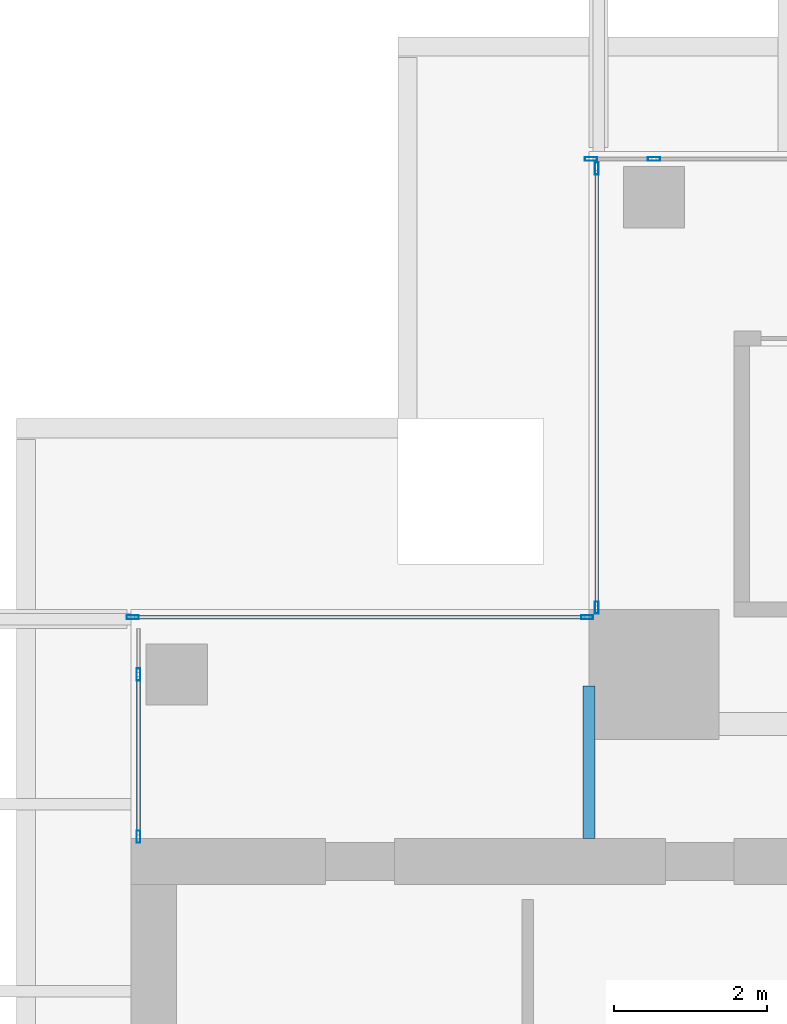
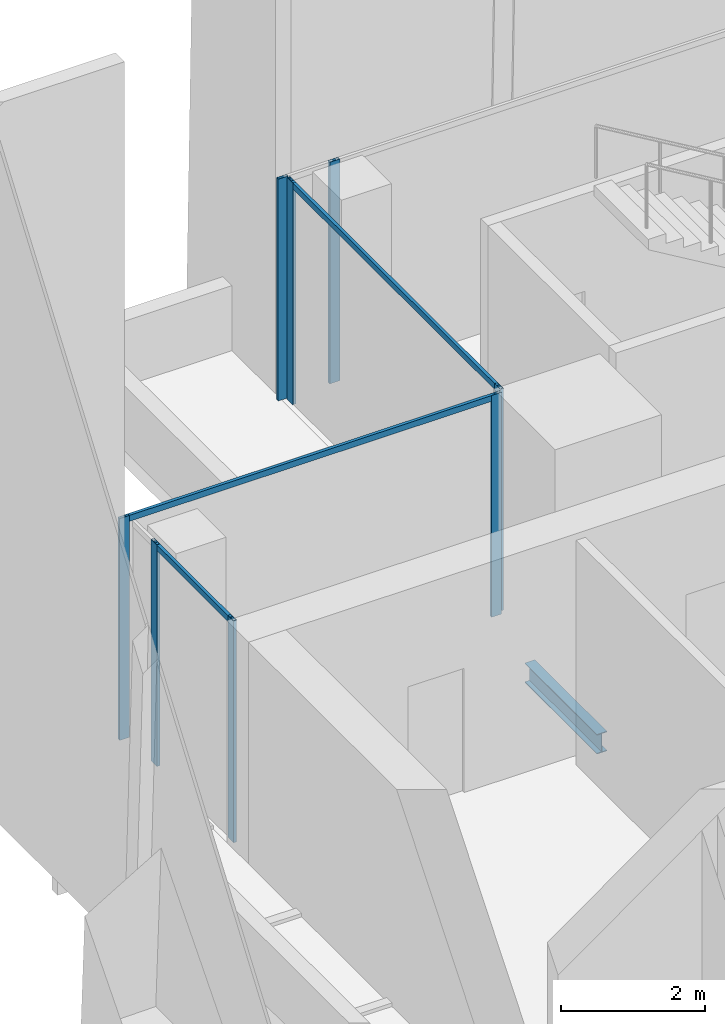
# One storey, part 13 of 32: 11 members, 1 beam, 4 elements without a shape of their own.
"""IFC4 building model written with IfcOpenShell, lengths in metres."""

from ifc_helpers import new_model, si_unit, direction, frame, origin, origin_2d, place, context, subcontext, project, spatial, hollow_rectangle, i_section, extrude, source, transform, mapped, material, material_profile, profile_set, type_object, element, aggregate, save


model = new_model("IFC4")

# Units and contexts
model_context = context("Model", 3, precision=1e-05, world=origin(), true_north=direction((0.0, 1.0)))
body_context = subcontext(model_context, "Body", "Model", "MODEL_VIEW")
ifc_project = project(units=[si_unit("LENGTHUNIT", "METRE"), si_unit("AREAUNIT", "SQUARE_METRE"), si_unit("VOLUMEUNIT", "CUBIC_METRE"), si_unit("PLANEANGLEUNIT", "RADIAN"), si_unit("MASSUNIT", "GRAM", prefix="KILO")], contexts=[model_context])

# Site, building, storey
site_placement = place(None, origin())
site = spatial("IfcSite", under=ifc_project, at=site_placement, CompositionType="ELEMENT")
building_placement = place(site_placement, origin())
building = spatial("IfcBuilding", under=site, at=building_placement, Name="Khomas Fold Tower", CompositionType="ELEMENT")
storey_placement = place(building_placement, frame((0.0, 0.0, 282.199951171875)))
storey = spatial("IfcBuildingStorey", under=building, at=storey_placement, Name="L63", CompositionType="ELEMENT", Elevation=282.199951171875)

# Beam
ifc_material_1 = material(Name="Steel S355", Category="steel")
ifc_material_profile_1 = material_profile(ifc_material_1, i_section(OverallWidth=0.159912109375, OverallDepth=0.330078125, WebThickness=0.007568359375, FlangeThickness=0.011474609375, at=origin_2d()), Name="IPE 330")
ifc_profile_set_1 = profile_set([ifc_material_profile_1], Name="Steel S355")
beam_type = type_object("IfcBeamType", Name="IPE 330 beam JB1", PredefinedType="BEAM", material=ifc_profile_set_1)
shared_shape_1 = source(origin(), body_context, "Body", "SweptSolid", [
    extrude(i_section(OverallWidth=0.159912109375, OverallDepth=0.330078125, WebThickness=0.007568359375, FlangeThickness=0.011474609375, at=origin_2d()), origin(), (0.0, 0.0, 1.0), 2.0),
])
beam_placement = place(storey_placement, frame((12.0, 39.0, -0.4150390625), z_axis=(0.0, 1.0, 0.0), x_axis=(-1.0, 0.0, 0.0)))
element("IfcBeam", 1, at=beam_placement, inside=storey, type_object=beam_type, Name="JB1", PredefinedType="BEAM", context=body_context, shape_type="MappedRepresentation", body=[
    mapped(shared_shape_1, transform((0.0, 0.0, 0.0))),
])

# Curtain wall, members
ifc_material_2 = material(Name="Aluminium framed double glazing", Category="aluminium")
curtain_wall_type = type_object("IfcCurtainWallType", Name="SK-Unitised clear-glass wall, upper floors CW3", PredefinedType="NOTDEFINED", material=ifc_material_2)
curtain_wall_1_placement = place(storey_placement, origin())
curtain_wall_1 = element("IfcCurtainWall", 2, at=curtain_wall_1_placement, inside=storey, type_object=curtain_wall_type, Name="CW3 run L63 06-1", PredefinedType="NOTDEFINED")
ifc_material_3 = material(Name="Aluminium", Category="aluminium")
ifc_material_profile_2 = material_profile(ifc_material_3, hollow_rectangle(XDim=0.050048828125, YDim=0.159912109375, WallThickness=0.00390625, at=origin_2d()), Name="SK-Unitised clear-glass wall, upper floors mullion CW3-M")
ifc_profile_set_2 = profile_set([ifc_material_profile_2], Name="Aluminium")
member_type_1 = type_object("IfcMemberType", Name="SK-Unitised clear-glass wall, upper floors mullion CW3-M", PredefinedType="MULLION", material=ifc_profile_set_2)
shared_shape_2 = source(origin(), body_context, "Body", "SweptSolid", [
    extrude(hollow_rectangle(XDim=0.050048828125, YDim=0.159912109375, WallThickness=0.00390625, at=origin_2d()), origin(), (0.0, 0.0, 1.0), 3.75),
])
member_1_placement = place(storey_placement, frame((12.85009765625, 47.89990234375, 0.0), z_axis=(0.0, 0.0, 1.0), x_axis=(0.0, -1.0, 0.0)))
member_1 = element("IfcMember", 3, at=member_1_placement, type_object=member_type_1, Name="CW3 mullion 5", PredefinedType="MULLION", context=body_context, shape_type="MappedRepresentation", body=[
    mapped(shared_shape_2, transform((0.0, 0.0, 0.0))),
])
member_2_placement = place(storey_placement, frame((12.02490234375, 47.89990234375, 0.0), z_axis=(0.0, 0.0, 1.0), x_axis=(0.0, -1.0, 0.0)))
member_2 = element("IfcMember", 4, at=member_2_placement, type_object=member_type_1, Name="CW3 mullion 6", PredefinedType="MULLION", context=body_context, shape_type="MappedRepresentation", body=[
    mapped(shared_shape_2, transform((0.0, 0.0, 0.0))),
])
aggregate(curtain_wall_1, [member_1, member_2])

curtain_wall_2_placement = place(storey_placement, origin())
curtain_wall_2 = element("IfcCurtainWall", 5, at=curtain_wall_2_placement, inside=storey, type_object=curtain_wall_type, Name="CW3 corner return L63 07", PredefinedType="NOTDEFINED")
member_3_placement = place(storey_placement, frame((12.10009765625, 47.77490234375, 0.0), z_axis=(0.0, 0.0, 1.0), x_axis=(1.0, 0.0, 0.0)))
member_3 = element("IfcMember", 6, at=member_3_placement, type_object=member_type_1, Name="CW3 mullion 1", PredefinedType="MULLION", context=body_context, shape_type="MappedRepresentation", body=[
    mapped(shared_shape_2, transform((0.0, 0.0, 0.0))),
])
member_4_placement = place(storey_placement, frame((12.10009765625, 42.02490234375, 0.0), z_axis=(0.0, 0.0, 1.0), x_axis=(1.0, 0.0, 0.0)))
member_4 = element("IfcMember", 7, at=member_4_placement, type_object=member_type_1, Name="CW3 mullion 2", PredefinedType="MULLION", context=body_context, shape_type="MappedRepresentation", body=[
    mapped(shared_shape_2, transform((0.0, 0.0, 0.0))),
])

curtain_wall_3_placement = place(storey_placement, origin())
curtain_wall_3 = element("IfcCurtainWall", 8, at=curtain_wall_3_placement, inside=storey, type_object=curtain_wall_type, Name="CW3 corner return L63 08", PredefinedType="NOTDEFINED")
member_5_placement = place(storey_placement, frame((11.97509765625, 41.89990234375, 0.0), z_axis=(0.0, 0.0, 1.0), x_axis=(0.0, -1.0, 0.0)))
member_5 = element("IfcMember", 9, at=member_5_placement, type_object=member_type_1, Name="CW3 mullion 1", PredefinedType="MULLION", context=body_context, shape_type="MappedRepresentation", body=[
    mapped(shared_shape_2, transform((0.0, 0.0, 0.0))),
])
member_6_placement = place(storey_placement, frame((6.02490234375, 41.89990234375, 0.0), z_axis=(0.0, 0.0, 1.0), x_axis=(0.0, -1.0, 0.0)))
member_6 = element("IfcMember", 10, at=member_6_placement, type_object=member_type_1, Name="CW3 mullion 2", PredefinedType="MULLION", context=body_context, shape_type="MappedRepresentation", body=[
    mapped(shared_shape_2, transform((0.0, 0.0, 0.0))),
])

curtain_wall_4_placement = place(storey_placement, origin())
curtain_wall_4 = element("IfcCurtainWall", 11, at=curtain_wall_4_placement, inside=storey, type_object=curtain_wall_type, Name="CW3 run L63 09-0", PredefinedType="NOTDEFINED")
member_7_placement = place(storey_placement, frame((6.10009765625, 41.14990234375, 0.0), z_axis=(0.0, 0.0, 1.0), x_axis=(1.0, 0.0, 0.0)))
member_7 = element("IfcMember", 12, at=member_7_placement, type_object=member_type_1, Name="CW3 mullion 2", PredefinedType="MULLION", context=body_context, shape_type="MappedRepresentation", body=[
    mapped(shared_shape_2, transform((0.0, 0.0, 0.0))),
])
member_8_placement = place(storey_placement, frame((6.10009765625, 39.02490234375, 0.0), z_axis=(0.0, 0.0, 1.0), x_axis=(1.0, 0.0, 0.0)))
member_8 = element("IfcMember", 13, at=member_8_placement, type_object=member_type_1, Name="CW3 mullion 3", PredefinedType="MULLION", context=body_context, shape_type="MappedRepresentation", body=[
    mapped(shared_shape_2, transform((0.0, 0.0, 0.0))),
])

# Member
ifc_material_4 = material(Name="Aluminium", Category="aluminium")
ifc_material_profile_3 = material_profile(ifc_material_4, hollow_rectangle(XDim=0.050048828125, YDim=0.10009765625, WallThickness=0.00390625, at=origin_2d()), Name="SK-Unitised clear-glass wall, upper floors transom CW3-T")
ifc_profile_set_3 = profile_set([ifc_material_profile_3], Name="Aluminium")
member_type_2 = type_object("IfcMemberType", Name="SK-Unitised clear-glass wall, upper floors transom CW3-T", PredefinedType="USERDEFINED", material=ifc_profile_set_3)
shared_shape_3 = source(origin(), body_context, "Body", "SweptSolid", [
    extrude(hollow_rectangle(XDim=0.050048828125, YDim=0.10009765625, WallThickness=0.00390625, at=origin_2d()), origin(), (0.0, 0.0, 1.0), 5.699951171875),
])
member_9_placement = place(storey_placement, frame((12.10009765625, 47.75, 3.699951171875), z_axis=(0.0, -1.0, 0.0), x_axis=(1.0, 0.0, 0.0)))
member_9 = element("IfcMember", 14, at=member_9_placement, type_object=member_type_2, Name="CW3 transom 1", ObjectType="TRANSOM", PredefinedType="USERDEFINED", context=body_context, shape_type="MappedRepresentation", body=[
    mapped(shared_shape_3, transform((0.0, 0.0, 0.0))),
])

aggregate(curtain_wall_2, [member_3, member_4, member_9])

shared_shape_4 = source(origin(), body_context, "Body", "SweptSolid", [
    extrude(hollow_rectangle(XDim=0.050048828125, YDim=0.10009765625, WallThickness=0.00390625, at=origin_2d()), origin(), (0.0, 0.0, 1.0), 5.89990234375),
])
member_10_placement = place(storey_placement, frame((11.949951171875, 41.89990234375, 3.699951171875), z_axis=(-1.0, 0.0, 0.0), x_axis=(0.0, -1.0, 0.0)))
member_10 = element("IfcMember", 15, at=member_10_placement, type_object=member_type_2, Name="CW3 transom 1", ObjectType="TRANSOM", PredefinedType="USERDEFINED", context=body_context, shape_type="MappedRepresentation", body=[
    mapped(shared_shape_4, transform((0.0, 0.0, 0.0))),
])

aggregate(curtain_wall_3, [member_5, member_6, member_10])

shared_shape_5 = source(origin(), body_context, "Body", "SweptSolid", [
    extrude(hollow_rectangle(XDim=0.050048828125, YDim=0.10009765625, WallThickness=0.00390625, at=origin_2d()), origin(), (0.0, 0.0, 1.0), 2.074951171875),
])
member_11_placement = place(storey_placement, frame((6.10009765625, 41.125, 3.699951171875), z_axis=(0.0, -1.0, 0.0), x_axis=(1.0, 0.0, 0.0)))
member_11 = element("IfcMember", 16, at=member_11_placement, type_object=member_type_2, Name="CW3 transom 2", ObjectType="TRANSOM", PredefinedType="USERDEFINED", context=body_context, shape_type="MappedRepresentation", body=[
    mapped(shared_shape_5, transform((0.0, 0.0, 0.0))),
])

aggregate(curtain_wall_4, [member_7, member_8, member_11])

save(model, "model.ifc")
